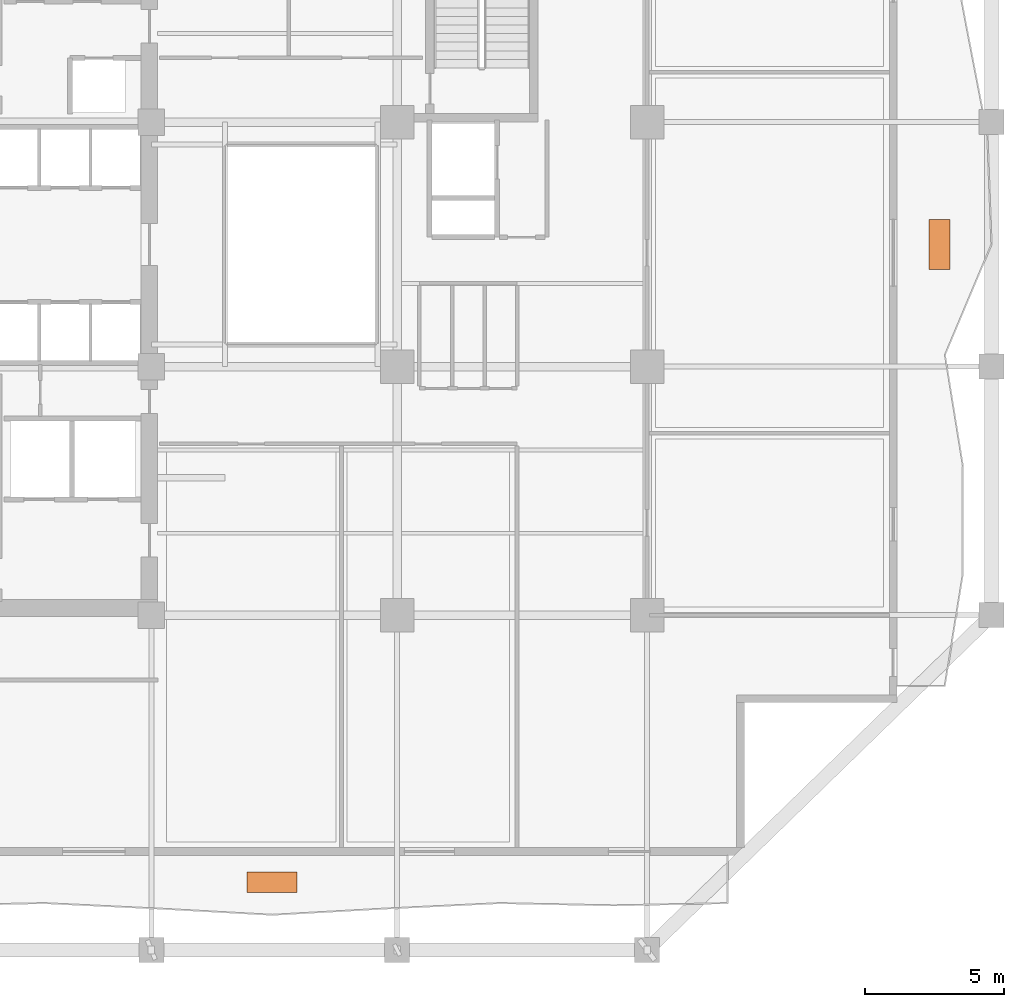
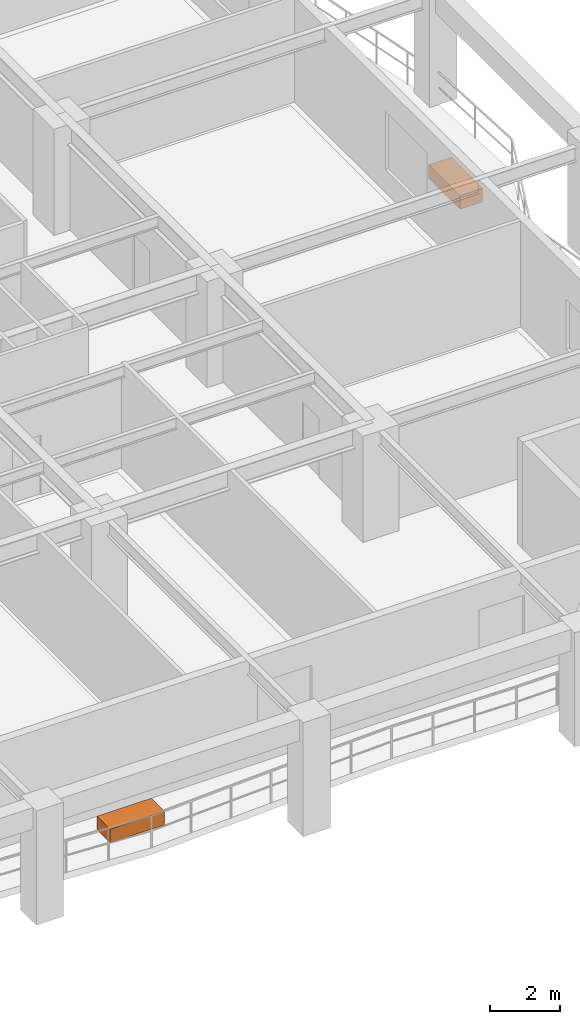
# One storey, part 12 of 12: 2 proxies.
"""IFC4 building model written with IfcOpenShell, lengths in metres."""

from ifc_helpers import new_model, si_unit, direction, frame, origin, origin_2d, place, context, subcontext, project, spatial, rectangle, extrude, material, type_object, element, save


model = new_model("IFC4")

# Units and contexts
model_context = context("Model", 3, precision=1e-05, world=origin(), true_north=direction((0.0, 1.0)))
body_context = subcontext(model_context, "Body", "Model", "MODEL_VIEW")
ifc_project = project(units=[si_unit("LENGTHUNIT", "METRE"), si_unit("AREAUNIT", "SQUARE_METRE"), si_unit("VOLUMEUNIT", "CUBIC_METRE"), si_unit("PLANEANGLEUNIT", "RADIAN"), si_unit("MASSUNIT", "GRAM", prefix="KILO")], contexts=[model_context])

# Site, building, storey
site_placement = place(None, origin())
site = spatial("IfcSite", under=ifc_project, at=site_placement, CompositionType="ELEMENT")
building_placement = place(site_placement, origin())
building = spatial("IfcBuilding", under=site, at=building_placement, Name="Kundavana Baori Tower", CompositionType="ELEMENT")
storey_placement = place(building_placement, frame((0.0, 0.0, 38.0)))
storey = spatial("IfcBuildingStorey", under=building, at=storey_placement, Name="L08", CompositionType="ELEMENT", Elevation=38.0)

# Proxies
ifc_material = material(Name="Red-Buff Dholpur Sandstone Cladding on Concrete C40/50", Category="masonry")
building_element_proxy_type = type_object("IfcBuildingElementProxyType", Name="PRX-PLANTER-1800", PredefinedType="USERDEFINED", material=ifc_material)
for number, where, z_axis, x_axis, name in (
    (1, (29.300048828125, 5.636962890625, 0.0), (0.0, 0.0, 1.0), (1.0, 0.0, 0.0), "L08 Dholpur Stone Structural Tree Planter S"),
    (2, (53.330078125, 28.60009765625, 0.0), (0.0, 0.0, 1.0), (0.0, 1.0, 0.0), "L08 Dholpur Stone Structural Tree Planter E"),
):
    element("IfcBuildingElementProxy", number, at=place(storey_placement, frame(where, z_axis=z_axis, x_axis=x_axis)), inside=storey, type_object=building_element_proxy_type, Name=name, ObjectType="PLANTER", PredefinedType="USERDEFINED", context=body_context, shape_type="SweptSolid", body=[
        extrude(rectangle(XDim=1.800048828125, YDim=0.75, at=origin_2d()), origin(), (0.0, 0.0, 1.0), 0.47998046875),
    ])

save(model, "model.ifc")
